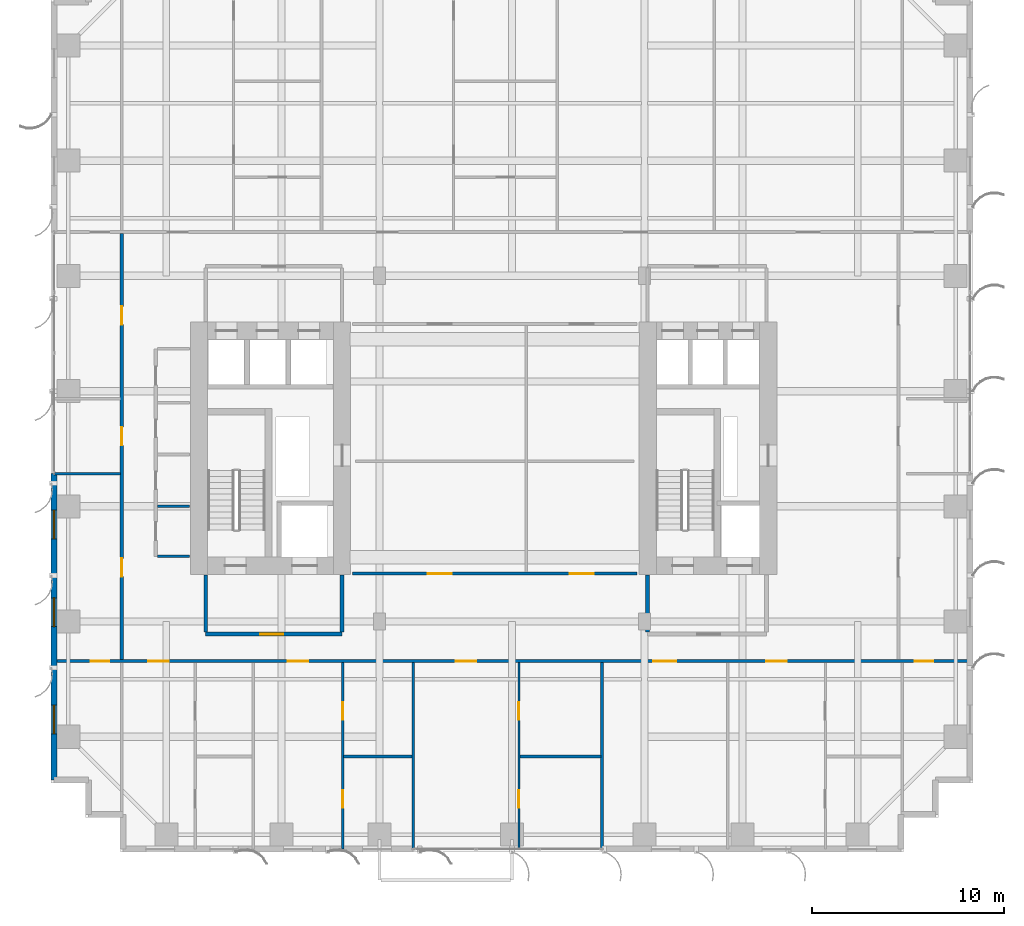
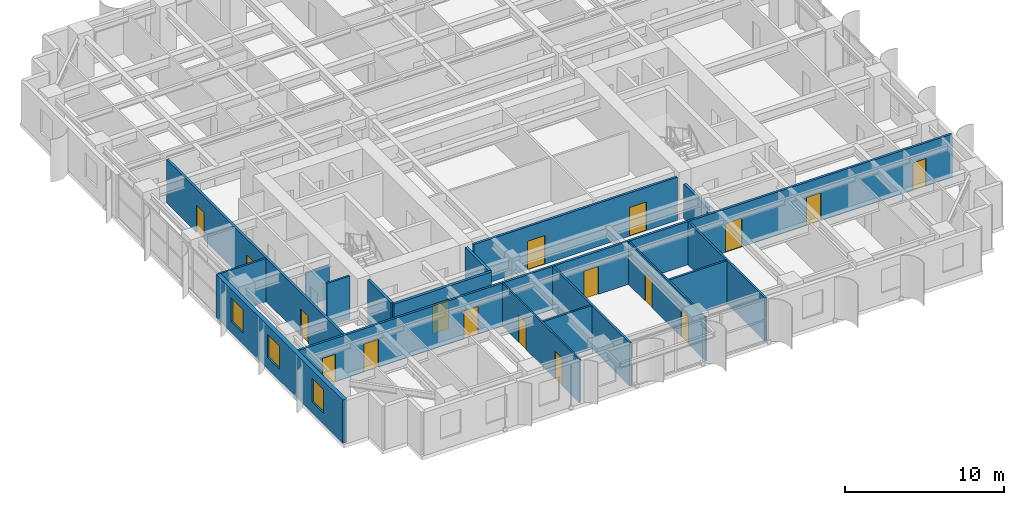
# One storey, part 15 of 22: 17 doors, 17 walls, 3 windows, 20 openings.
"""IFC4 building model written with IfcOpenShell, lengths in metres."""

from ifc_helpers import new_model, si_unit, direction, frame, frame_2d, origin, place, context, subcontext, project, spatial, rectangle, extrude, source, transform, mapped, material, layer, layer_set, type_object, element, fill, save


model = new_model("IFC4")

# Units and contexts
model_context = context("Model", 3, precision=1e-05, world=origin(), true_north=direction((0.0, 1.0)))
body_context = subcontext(model_context, "Body", "Model", "MODEL_VIEW")
ifc_project = project(units=[si_unit("LENGTHUNIT", "METRE"), si_unit("AREAUNIT", "SQUARE_METRE"), si_unit("VOLUMEUNIT", "CUBIC_METRE"), si_unit("PLANEANGLEUNIT", "RADIAN"), si_unit("MASSUNIT", "GRAM", prefix="KILO")], contexts=[model_context])

# Site, building, storey
site_placement = place(None, origin())
site = spatial("IfcSite", under=ifc_project, at=site_placement, CompositionType="ELEMENT")
building_placement = place(site_placement, origin())
building = spatial("IfcBuilding", under=site, at=building_placement, Name="Khoralis Quay Care Tower", CompositionType="ELEMENT")
storey_placement = place(building_placement, frame((0.0, 0.0, 44.10009765625)))
storey = spatial("IfcBuildingStorey", under=building, at=storey_placement, Name="L11", CompositionType="ELEMENT", Elevation=44.10009765625)

# Wall, opening, door
ifc_material_1 = material(Name="Gypsum plasterboard on acoustic metal stud")
ifc_layer_1 = layer(ifc_material_1, 0.199951171875)
ifc_layer_set_1 = layer_set([ifc_layer_1], Name="Gypsum plasterboard on acoustic metal stud")
wall_type_1 = type_object("IfcWallType", Name="WL-COMP-200", PredefinedType="PARTITIONING", material=ifc_layer_set_1)
wall_1_placement = place(storey_placement, frame((8.050048828125, 11.35009765625, 0.0), z_axis=(0.0, 0.0, 1.0), x_axis=(1.0, 0.0, 0.0)))
wall_1 = element("IfcWall", 1, at=wall_1_placement, inside=storey, type_object=wall_type_1, Name="L11 West Firefighting Lobby South Wall", PredefinedType="PARTITIONING", context=body_context, shape_type="SweptSolid", body=[
    extrude(rectangle(XDim=7.099853515625, YDim=0.199951171875, at=frame_2d((3.5498046875, 0.0))), origin(), (0.0, 0.0, 1.0), 3.31982421875),
])
opening_1_placement = place(wall_1_placement, frame((2.846435546875, 0.0, 0.0)))
opening_1 = element("IfcOpeningElement", 2, at=opening_1_placement, cuts=wall_1, Name="Opening FD1", PredefinedType="OPENING", context=body_context, shape_type="SweptSolid", body=[
    extrude(rectangle(XDim=1.199951171875, YDim=2.199951171875, at=frame_2d((0.60009765625, 1.10009765625))), frame((0.0, 0.10986328125, 0.0), z_axis=(0.0, -1.0, 0.0), x_axis=(1.0, 0.0, 0.0)), (0.0, 0.0, 1.0), 0.219970703125),
])
ifc_material_2 = material(Name="Fire-rated painted steel", Category="steel")
door_type_1 = type_object("IfcDoorType", Name="DR-FFL-1200X2200", OperationType="NOTDEFINED", PredefinedType="DOOR", material=ifc_material_2)
shared_shape_1 = source(origin(), body_context, "Body", "SweptSolid", [
    extrude(rectangle(XDim=1.199951171875, YDim=2.199951171875, at=frame_2d((0.60009765625, 1.10009765625))), frame((0.0, 0.02490234375, 0.0), z_axis=(0.0, -1.0, 0.0), x_axis=(1.0, 0.0, 0.0)), (0.0, 0.0, 1.0), 0.050048828125),
])
door_1_placement = place(opening_1_placement, origin())
door_1 = element("IfcDoor", 3, at=door_1_placement, inside=storey, type_object=door_type_1, Name="L11 West Firefighting Lobby Fire Door", OperationType="SINGLE_SWING_LEFT", OverallHeight=2.199951171875, OverallWidth=1.199951171875, PredefinedType="DOOR", context=body_context, shape_type="MappedRepresentation", body=[
    mapped(shared_shape_1, transform((0.0, 0.0, 0.0), scale=1.0)),
])
fill(opening_1, door_1)

# Walls
for number, where, z_axis, x_axis, name in (
    (4, (8.050048828125, 11.445068359375, 0.0), (0.0, 0.0, 1.0), (0.0, 1.0, 0.0), "L11 West Firefighting Lobby West Wall"),
    (5, (15.14990234375, 11.445068359375, 0.0), (0.0, 0.0, 1.0), (0.0, 1.0, 0.0), "L11 West Firefighting Lobby East Wall"),
):
    element("IfcWall", number, at=place(storey_placement, frame(where, z_axis=z_axis, x_axis=x_axis)), inside=storey, type_object=wall_type_1, Name=name, PredefinedType="PARTITIONING", context=body_context, shape_type="SweptSolid", body=[
        extrude(rectangle(XDim=2.98486328125, YDim=0.199951171875, at=frame_2d((1.492431640625, 0.0))), origin(), (0.0, 0.0, 1.0), 3.31982421875),
    ])
wall_2_placement = place(storey_placement, frame((31.050048828125, 11.445068359375, 0.0), z_axis=(0.0, 0.0, 1.0), x_axis=(0.0, 1.0, 0.0)))
element("IfcWall", 6, at=wall_2_placement, inside=storey, type_object=wall_type_1, Name="L11 East Firefighting Lobby West Wall", PredefinedType="PARTITIONING", context=body_context, shape_type="SweptSolid", body=[
    extrude(rectangle(XDim=2.98486328125, YDim=0.199951171875, at=frame_2d((1.492431640625, 0.0))), origin(), (0.0, 0.0, 1.0), 2.625),
])

# Wall, openings, doors
ifc_layer_2 = layer(ifc_material_1, 0.1650390625)
ifc_layer_set_2 = layer_set([ifc_layer_2], Name="Gypsum plasterboard on acoustic metal stud")
wall_type_2 = type_object("IfcWallType", Name="WL-CORR-165", PredefinedType="PARTITIONING", material=ifc_layer_set_2)
wall_3_placement = place(storey_placement, frame((0.14501953125, 9.93994140625, 0.0), z_axis=(0.0, 0.0, 1.0), x_axis=(1.0, 0.0, 0.0)))
wall_3 = element("IfcWall", 7, at=wall_3_placement, inside=storey, type_object=wall_type_2, Name="L11 South Main Corridor Wall", PredefinedType="PARTITIONING", context=body_context, shape_type="SweptSolid", body=[
    extrude(rectangle(XDim=47.7099609375, YDim=0.1650390625, at=frame_2d((23.85498046875, 0.0))), origin(), (0.0, 0.0, 1.0), 3.31982421875),
])
opening_2_placement = place(wall_3_placement, frame((4.925048828125, 0.0, 0.0)))
opening_2 = element("IfcOpeningElement", 8, at=opening_2_placement, cuts=wall_3, Name="Opening UD1", PredefinedType="OPENING", context=body_context, shape_type="SweptSolid", body=[
    extrude(rectangle(XDim=1.050048828125, YDim=2.14990234375, at=frame_2d((0.52490234375, 1.074951171875))), frame((0.0, 0.092529296875, 0.0), z_axis=(0.0, -1.0, 0.0), x_axis=(1.0, 0.0, 0.0)), (0.0, 0.0, 1.0), 0.18505859375),
])
opening_3_placement = place(wall_3_placement, frame((12.1826171875, 0.0, 0.0)))
opening_3 = element("IfcOpeningElement", 9, at=opening_3_placement, cuts=wall_3, Name="Opening UD1", PredefinedType="OPENING", context=body_context, shape_type="SweptSolid", body=[
    extrude(rectangle(XDim=1.050048828125, YDim=2.14990234375, at=frame_2d((0.52490234375, 1.074951171875))), frame((0.0, 0.092529296875, 0.0), z_axis=(0.0, -1.0, 0.0), x_axis=(1.0, 0.0, 0.0)), (0.0, 0.0, 1.0), 0.18505859375),
])
opening_4_placement = place(wall_3_placement, frame((20.93505859375, 0.0, 0.0)))
opening_4 = element("IfcOpeningElement", 10, at=opening_4_placement, cuts=wall_3, Name="Opening UD1", PredefinedType="OPENING", context=body_context, shape_type="SweptSolid", body=[
    extrude(rectangle(XDim=1.050048828125, YDim=2.14990234375, at=frame_2d((0.52490234375, 1.074951171875))), frame((0.0, 0.092529296875, 0.0), z_axis=(0.0, -1.0, 0.0), x_axis=(1.0, 0.0, 0.0)), (0.0, 0.0, 1.0), 0.18505859375),
])
opening_5_placement = place(wall_3_placement, frame((31.215087890625, 0.0, 0.0)))
opening_5 = element("IfcOpeningElement", 11, at=opening_5_placement, cuts=wall_3, Name="Opening FD1", PredefinedType="OPENING", context=body_context, shape_type="SweptSolid", body=[
    extrude(rectangle(XDim=1.199951171875, YDim=2.199951171875, at=frame_2d((0.60009765625, 1.10009765625))), frame((0.0, 0.092529296875, 0.0), z_axis=(0.0, -1.0, 0.0), x_axis=(1.0, 0.0, 0.0)), (0.0, 0.0, 1.0), 0.18505859375),
])
opening_6_placement = place(wall_3_placement, frame((37.10498046875, 0.0, 0.0)))
opening_6 = element("IfcOpeningElement", 12, at=opening_6_placement, cuts=wall_3, Name="Opening UD1", PredefinedType="OPENING", context=body_context, shape_type="SweptSolid", body=[
    extrude(rectangle(XDim=1.050048828125, YDim=2.14990234375, at=frame_2d((0.52490234375, 1.074951171875))), frame((0.0, 0.092529296875, 0.0), z_axis=(0.0, -1.0, 0.0), x_axis=(1.0, 0.0, 0.0)), (0.0, 0.0, 1.0), 0.18505859375),
])
opening_7_placement = place(wall_3_placement, frame((1.919921875, 0.0, 0.0)))
opening_7 = element("IfcOpeningElement", 13, at=opening_7_placement, cuts=wall_3, Name="Opening ID1", PredefinedType="OPENING", context=body_context, shape_type="SweptSolid", body=[
    extrude(rectangle(XDim=0.949951171875, YDim=2.10009765625, at=frame_2d((0.47509765625, 1.050048828125))), frame((0.0, 0.092529296875, 0.0), z_axis=(0.0, -1.0, 0.0), x_axis=(1.0, 0.0, 0.0)), (0.0, 0.0, 1.0), 0.18505859375),
])
opening_8_placement = place(wall_3_placement, frame((44.840087890625, 0.0, 0.0)))
opening_8 = element("IfcOpeningElement", 14, at=opening_8_placement, cuts=wall_3, Name="Opening ID1", PredefinedType="OPENING", context=body_context, shape_type="SweptSolid", body=[
    extrude(rectangle(XDim=0.949951171875, YDim=2.10009765625, at=frame_2d((0.47509765625, 1.050048828125))), frame((0.0, 0.092529296875, 0.0), z_axis=(0.0, -1.0, 0.0), x_axis=(1.0, 0.0, 0.0)), (0.0, 0.0, 1.0), 0.18505859375),
])
door_2_placement = place(opening_5_placement, frame((1.199951171875, 0.0, 0.0), z_axis=(0.0, 0.0, 1.0), x_axis=(-1.0, 0.0, 0.0)))
door_2 = element("IfcDoor", 15, at=door_2_placement, inside=storey, type_object=door_type_1, Name="L11 Assisted Communal Dining Room Door", OperationType="DOUBLE_DOOR_SINGLE_SWING", OverallHeight=2.199951171875, OverallWidth=1.199951171875, PredefinedType="DOOR", context=body_context, shape_type="MappedRepresentation", body=[
    mapped(shared_shape_1, transform((0.0, 0.0, 0.0), scale=1.0)),
])
fill(opening_5, door_2)
ifc_material_3 = material(Name="Acoustic hardwood timber", Category="wood")
door_type_2 = type_object("IfcDoorType", Name="DR-ROOM-950X2100", OperationType="NOTDEFINED", PredefinedType="DOOR", material=ifc_material_3)
shared_shape_2 = source(origin(), body_context, "Body", "SweptSolid", [
    extrude(rectangle(XDim=0.949951171875, YDim=2.10009765625, at=frame_2d((0.47509765625, 1.050048828125))), frame((0.0, 0.02490234375, 0.0), z_axis=(0.0, -1.0, 0.0), x_axis=(1.0, 0.0, 0.0)), (0.0, 0.0, 1.0), 0.050048828125),
])
door_3_placement = place(opening_7_placement, frame((0.949951171875, 0.0, 0.0), z_axis=(0.0, 0.0, 1.0), x_axis=(-1.0, 0.0, 0.0)))
door_3 = element("IfcDoor", 16, at=door_3_placement, inside=storey, type_object=door_type_2, Name="L11 SW Corner Door", OperationType="SINGLE_SWING_LEFT", OverallHeight=2.10009765625, OverallWidth=0.949951171875, PredefinedType="DOOR", context=body_context, shape_type="MappedRepresentation", body=[
    mapped(shared_shape_2, transform((0.0, 0.0, 0.0), scale=1.0)),
])
fill(opening_7, door_3)
door_4_placement = place(opening_8_placement, frame((0.949951171875, 0.0, 0.0), z_axis=(0.0, 0.0, 1.0), x_axis=(-1.0, 0.0, 0.0)))
door_4 = element("IfcDoor", 17, at=door_4_placement, inside=storey, type_object=door_type_2, Name="L11 SE Corner Door", OperationType="SINGLE_SWING_RIGHT", OverallHeight=2.10009765625, OverallWidth=0.949951171875, PredefinedType="DOOR", context=body_context, shape_type="MappedRepresentation", body=[
    mapped(shared_shape_2, transform((0.0, 0.0, 0.0), scale=1.0)),
])
fill(opening_8, door_4)
door_type_3 = type_object("IfcDoorType", Name="DR-SUITE-1050X2150", OperationType="NOTDEFINED", PredefinedType="DOOR", material=ifc_material_3)
shared_shape_3 = source(origin(), body_context, "Body", "SweptSolid", [
    extrude(rectangle(XDim=1.050048828125, YDim=2.14990234375, at=frame_2d((0.52490234375, 1.074951171875))), frame((0.0, 0.02490234375, 0.0), z_axis=(0.0, -1.0, 0.0), x_axis=(1.0, 0.0, 0.0)), (0.0, 0.0, 1.0), 0.050048828125),
])
door_5_placement = place(opening_2_placement, frame((1.050048828125, 0.0, 0.0), z_axis=(0.0, 0.0, 1.0), x_axis=(-1.0, 0.0, 0.0)))
door_5 = element("IfcDoor", 18, at=door_5_placement, inside=storey, type_object=door_type_3, Name="L11 Studio SB0 Entrance", OperationType="SINGLE_SWING_LEFT", OverallHeight=2.14990234375, OverallWidth=1.050048828125, PredefinedType="DOOR", context=body_context, shape_type="MappedRepresentation", body=[
    mapped(shared_shape_3, transform((0.0, 0.0, 0.0), scale=1.0)),
])
fill(opening_2, door_5)
door_6_placement = place(opening_3_placement, frame((1.050048828125, 0.0, 0.0), z_axis=(0.0, 0.0, 1.0), x_axis=(-1.0, 0.0, 0.0)))
door_6 = element("IfcDoor", 19, at=door_6_placement, inside=storey, type_object=door_type_3, Name="L11 Studio SB1 Entrance", OperationType="SINGLE_SWING_RIGHT", OverallHeight=2.14990234375, OverallWidth=1.050048828125, PredefinedType="DOOR", context=body_context, shape_type="MappedRepresentation", body=[
    mapped(shared_shape_3, transform((0.0, 0.0, 0.0), scale=1.0)),
])
fill(opening_3, door_6)
door_7_placement = place(opening_4_placement, frame((1.050048828125, 0.0, 0.0), z_axis=(0.0, 0.0, 1.0), x_axis=(-1.0, 0.0, 0.0)))
door_7 = element("IfcDoor", 20, at=door_7_placement, inside=storey, type_object=door_type_3, Name="L11 Studio SB2 Entrance", OperationType="SINGLE_SWING_LEFT", OverallHeight=2.14990234375, OverallWidth=1.050048828125, PredefinedType="DOOR", context=body_context, shape_type="MappedRepresentation", body=[
    mapped(shared_shape_3, transform((0.0, 0.0, 0.0), scale=1.0)),
])
fill(opening_4, door_7)
door_8_placement = place(opening_6_placement, frame((1.050048828125, 0.0, 0.0), z_axis=(0.0, 0.0, 1.0), x_axis=(-1.0, 0.0, 0.0)))
door_8 = element("IfcDoor", 21, at=door_8_placement, inside=storey, type_object=door_type_3, Name="L11 Studio SB4 Entrance", OperationType="SINGLE_SWING_LEFT", OverallHeight=2.14990234375, OverallWidth=1.050048828125, PredefinedType="DOOR", context=body_context, shape_type="MappedRepresentation", body=[
    mapped(shared_shape_3, transform((0.0, 0.0, 0.0), scale=1.0)),
])
fill(opening_6, door_8)

wall_4_placement = place(storey_placement, frame((3.679931640625, 10.017578125, 0.0), z_axis=(0.0, 0.0, 1.0), x_axis=(0.0, 1.0, 0.0)))
wall_4 = element("IfcWall", 22, at=wall_4_placement, inside=storey, type_object=wall_type_2, Name="L11 West Loop Corridor Wall", PredefinedType="PARTITIONING", context=body_context, shape_type="SweptSolid", body=[
    extrude(rectangle(XDim=22.184814453125, YDim=0.1650390625, at=frame_2d((11.09228515625, 0.0))), origin(), (0.0, 0.0, 1.0), 3.31982421875),
])
opening_9_placement = place(wall_4_placement, frame((4.327392578125, 0.0, 0.0)))
opening_9 = element("IfcOpeningElement", 23, at=opening_9_placement, cuts=wall_4, Name="Opening ID1", PredefinedType="OPENING", context=body_context, shape_type="SweptSolid", body=[
    extrude(rectangle(XDim=0.949951171875, YDim=2.10009765625, at=frame_2d((0.47509765625, 1.050048828125))), frame((0.0, 0.092529296875, 0.0), z_axis=(0.0, -1.0, 0.0), x_axis=(1.0, 0.0, 0.0)), (0.0, 0.0, 1.0), 0.18505859375),
])
opening_10_placement = place(wall_4_placement, frame((11.157470703125, 0.0, 0.0)))
opening_10 = element("IfcOpeningElement", 24, at=opening_10_placement, cuts=wall_4, Name="Opening ID1", PredefinedType="OPENING", context=body_context, shape_type="SweptSolid", body=[
    extrude(rectangle(XDim=0.949951171875, YDim=2.10009765625, at=frame_2d((0.47509765625, 1.050048828125))), frame((0.0, 0.092529296875, 0.0), z_axis=(0.0, -1.0, 0.0), x_axis=(1.0, 0.0, 0.0)), (0.0, 0.0, 1.0), 0.18505859375),
])
opening_11_placement = place(wall_4_placement, frame((17.447509765625, 0.0, 0.0)))
opening_11 = element("IfcOpeningElement", 25, at=opening_11_placement, cuts=wall_4, Name="Opening ID1", PredefinedType="OPENING", context=body_context, shape_type="SweptSolid", body=[
    extrude(rectangle(XDim=0.949951171875, YDim=2.10009765625, at=frame_2d((0.47509765625, 1.050048828125))), frame((0.0, 0.092529296875, 0.0), z_axis=(0.0, -1.0, 0.0), x_axis=(1.0, 0.0, 0.0)), (0.0, 0.0, 1.0), 0.18505859375),
])
door_9_placement = place(opening_9_placement, origin())
door_9 = element("IfcDoor", 26, at=door_9_placement, inside=storey, type_object=door_type_2, Name="L11 Therapy Consultation Room Door", OperationType="SINGLE_SWING_LEFT", OverallHeight=2.10009765625, OverallWidth=0.949951171875, PredefinedType="DOOR", context=body_context, shape_type="MappedRepresentation", body=[
    mapped(shared_shape_2, transform((0.0, 0.0, 0.0), scale=1.0)),
])
fill(opening_9, door_9)
door_10_placement = place(opening_10_placement, origin())
door_10 = element("IfcDoor", 27, at=door_10_placement, inside=storey, type_object=door_type_2, Name="L11 Assisted Activity Lounge Door", OperationType="SINGLE_SWING_RIGHT", OverallHeight=2.10009765625, OverallWidth=0.949951171875, PredefinedType="DOOR", context=body_context, shape_type="MappedRepresentation", body=[
    mapped(shared_shape_2, transform((0.0, 0.0, 0.0), scale=1.0)),
])
fill(opening_10, door_10)
door_11_placement = place(opening_11_placement, origin())
door_11 = element("IfcDoor", 28, at=door_11_placement, inside=storey, type_object=door_type_2, Name="L11 Nurse Charting Office Door", OperationType="SINGLE_SWING_LEFT", OverallHeight=2.10009765625, OverallWidth=0.949951171875, PredefinedType="DOOR", context=body_context, shape_type="MappedRepresentation", body=[
    mapped(shared_shape_2, transform((0.0, 0.0, 0.0), scale=1.0)),
])
fill(opening_11, door_11)

wall_5_placement = place(storey_placement, frame((15.699951171875, 14.5, 0.0), z_axis=(0.0, 0.0, 1.0), x_axis=(1.0, 0.0, 0.0)))
wall_5 = element("IfcWall", 29, at=wall_5_placement, inside=storey, type_object=wall_type_2, Name="L11 Central Clinical South Wall", PredefinedType="PARTITIONING", context=body_context, shape_type="SweptSolid", body=[
    extrude(rectangle(XDim=14.800048828125, YDim=0.1650390625, at=frame_2d((7.39990234375, 0.0))), origin(), (0.0, 0.0, 1.0), 3.31982421875),
])
opening_12_placement = place(wall_5_placement, frame((3.89990234375, 0.0, 0.0)))
opening_12 = element("IfcOpeningElement", 30, at=opening_12_placement, cuts=wall_5, Name="Opening CD1", PredefinedType="OPENING", context=body_context, shape_type="SweptSolid", body=[
    extrude(rectangle(XDim=1.25, YDim=2.199951171875, at=frame_2d((0.625, 1.10009765625))), frame((0.0, 0.092529296875, 0.0), z_axis=(0.0, -1.0, 0.0), x_axis=(1.0, 0.0, 0.0)), (0.0, 0.0, 1.0), 0.18505859375),
])
opening_13_placement = place(wall_5_placement, frame((11.300048828125, 0.0, 0.0)))
opening_13 = element("IfcOpeningElement", 31, at=opening_13_placement, cuts=wall_5, Name="Opening CD1", PredefinedType="OPENING", context=body_context, shape_type="SweptSolid", body=[
    extrude(rectangle(XDim=1.25, YDim=2.199951171875, at=frame_2d((0.625, 1.10009765625))), frame((0.0, 0.092529296875, 0.0), z_axis=(0.0, -1.0, 0.0), x_axis=(1.0, 0.0, 0.0)), (0.0, 0.0, 1.0), 0.18505859375),
])
door_type_4 = type_object("IfcDoorType", Name="DR-CARE-1250X2200", OperationType="NOTDEFINED", PredefinedType="DOOR", material=ifc_material_3)
shared_shape_4 = source(origin(), body_context, "Body", "SweptSolid", [
    extrude(rectangle(XDim=1.25, YDim=2.199951171875, at=frame_2d((0.625, 1.10009765625))), frame((0.0, 0.02490234375, 0.0), z_axis=(0.0, -1.0, 0.0), x_axis=(1.0, 0.0, 0.0)), (0.0, 0.0, 1.0), 0.050048828125),
])
door_12_placement = place(opening_12_placement, origin())
door_12 = element("IfcDoor", 32, at=door_12_placement, inside=storey, type_object=door_type_4, Name="L11 Nurse Station Door", OperationType="SINGLE_SWING_LEFT", OverallHeight=2.199951171875, OverallWidth=1.25, PredefinedType="DOOR", context=body_context, shape_type="MappedRepresentation", body=[
    mapped(shared_shape_4, transform((0.0, 0.0, 0.0), scale=1.0)),
])
fill(opening_12, door_12)
door_13_placement = place(opening_13_placement, origin())
door_13 = element("IfcDoor", 33, at=door_13_placement, inside=storey, type_object=door_type_4, Name="L11 Treatment Clinic Door", OperationType="SINGLE_SWING_RIGHT", OverallHeight=2.199951171875, OverallWidth=1.25, PredefinedType="DOOR", context=body_context, shape_type="MappedRepresentation", body=[
    mapped(shared_shape_4, transform((0.0, 0.0, 0.0), scale=1.0)),
])
fill(opening_13, door_13)

# Wall, openings, windows
ifc_material_4 = material(Name="Precast concrete C45/55", Category="concrete")
ifc_layer_3 = layer(ifc_material_4, 0.300048828125)
ifc_layer_set_3 = layer_set([ifc_layer_3], Name="Precast concrete C45/55")
wall_type_3 = type_object("IfcWallType", Name="WL-EXT-REF-300", PredefinedType="SOLIDWALL", material=ifc_layer_set_3)
wall_6_placement = place(storey_placement, frame((0.14990234375, 19.699951171875, 0.0), z_axis=(0.0, 0.0, 1.0), x_axis=(0.0, -1.0, 0.0)))
wall_6 = element("IfcWall", 34, at=wall_6_placement, inside=storey, type_object=wall_type_3, Name="L11 External Facade Wall WL-EXT-L11-P1-E15B", PredefinedType="SOLIDWALL", context=body_context, shape_type="SweptSolid", body=[
    extrude(rectangle(XDim=15.949951171875, YDim=0.300048828125, at=frame_2d((7.97509765625, 0.0))), origin(), (0.0, 0.0, 1.0), 3.31982421875),
])
opening_14_placement = place(wall_6_placement, frame((1.89501953125, 0.0, 0.85009765625)))
opening_14 = element("IfcOpeningElement", 35, at=opening_14_placement, cuts=wall_6, Name="Opening W3", PredefinedType="OPENING", context=body_context, shape_type="SweptSolid", body=[
    extrude(rectangle(XDim=1.5, YDim=1.800048828125, at=frame_2d((0.75, 0.89990234375))), frame((0.0, 0.16015625, 0.0), z_axis=(0.0, -1.0, 0.0), x_axis=(1.0, 0.0, 0.0)), (0.0, 0.0, 1.0), 0.320068359375),
])
opening_15_placement = place(wall_6_placement, frame((6.465087890625, 0.0, 0.85009765625)))
opening_15 = element("IfcOpeningElement", 36, at=opening_15_placement, cuts=wall_6, Name="Opening W3", PredefinedType="OPENING", context=body_context, shape_type="SweptSolid", body=[
    extrude(rectangle(XDim=1.5, YDim=1.800048828125, at=frame_2d((0.75, 0.89990234375))), frame((0.0, 0.16015625, 0.0), z_axis=(0.0, -1.0, 0.0), x_axis=(1.0, 0.0, 0.0)), (0.0, 0.0, 1.0), 0.320068359375),
])
opening_16_placement = place(wall_6_placement, frame((12.054931640625, 0.0, 0.85009765625)))
opening_16 = element("IfcOpeningElement", 37, at=opening_16_placement, cuts=wall_6, Name="Opening W3", PredefinedType="OPENING", context=body_context, shape_type="SweptSolid", body=[
    extrude(rectangle(XDim=1.5, YDim=1.800048828125, at=frame_2d((0.75, 0.89990234375))), frame((0.0, 0.16015625, 0.0), z_axis=(0.0, -1.0, 0.0), x_axis=(1.0, 0.0, 0.0)), (0.0, 0.0, 1.0), 0.320068359375),
])
ifc_material_5 = material(Name="Low-E solar-control double glazing", Category="glass")
window_type = type_object("IfcWindowType", Name="WN-CLIN-1500X1800", PartitioningType="SINGLE_PANEL", PredefinedType="WINDOW", material=ifc_material_5)
shared_shape_5 = source(origin(), body_context, "Body", "SweptSolid", [
    extrude(rectangle(XDim=1.5, YDim=1.800048828125, at=frame_2d((0.75, 0.89990234375))), frame((0.0, 0.030029296875, 0.0), z_axis=(0.0, -1.0, 0.0), x_axis=(1.0, 0.0, 0.0)), (0.0, 0.0, 1.0), 0.06005859375),
])
window_1_placement = place(opening_14_placement, origin())
window_1 = element("IfcWindow", 38, at=window_1_placement, inside=storey, type_object=window_type, Name="WN-L11-P1-E15B Facade Window 01", OverallHeight=1.800048828125, OverallWidth=1.5, PartitioningType="SINGLE_PANEL", PredefinedType="WINDOW", context=body_context, shape_type="MappedRepresentation", body=[
    mapped(shared_shape_5, transform((0.0, 0.0, 0.0), scale=1.0)),
])
fill(opening_14, window_1)
window_2_placement = place(opening_15_placement, origin())
window_2 = element("IfcWindow", 39, at=window_2_placement, inside=storey, type_object=window_type, Name="WN-L11-P1-E15B Facade Window 02", OverallHeight=1.800048828125, OverallWidth=1.5, PartitioningType="SINGLE_PANEL", PredefinedType="WINDOW", context=body_context, shape_type="MappedRepresentation", body=[
    mapped(shared_shape_5, transform((0.0, 0.0, 0.0), scale=1.0)),
])
fill(opening_15, window_2)
window_3_placement = place(opening_16_placement, origin())
window_3 = element("IfcWindow", 40, at=window_3_placement, inside=storey, type_object=window_type, Name="WN-L11-P1-E15B Facade Window 03", OverallHeight=1.800048828125, OverallWidth=1.5, PartitioningType="SINGLE_PANEL", PredefinedType="WINDOW", context=body_context, shape_type="MappedRepresentation", body=[
    mapped(shared_shape_5, transform((0.0, 0.0, 0.0), scale=1.0)),
])
fill(opening_16, window_3)

# Wall, openings, doors
ifc_layer_4 = layer(ifc_material_1, 0.114990234375)
ifc_layer_set_4 = layer_set([ifc_layer_4], Name="Gypsum plasterboard on acoustic metal stud")
wall_type_4 = type_object("IfcWallType", Name="WL-PART-115", PredefinedType="PARTITIONING", material=ifc_layer_set_4)
wall_7_placement = place(storey_placement, frame((15.18505859375, 0.14501953125, 0.0), z_axis=(0.0, 0.0, 1.0), x_axis=(0.0, 1.0, 0.0)))
wall_7 = element("IfcWall", 41, at=wall_7_placement, inside=storey, type_object=wall_type_4, Name="L11 Studio 1 Internal Wall", PredefinedType="PARTITIONING", context=body_context, shape_type="SweptSolid", body=[
    extrude(rectangle(XDim=9.717529296875, YDim=0.114990234375, at=frame_2d((4.85888671875, 0.0))), origin(), (0.0, 0.0, 1.0), 3.31982421875),
])
opening_17_placement = place(wall_7_placement, frame((2.1650390625, 0.0, 0.0)))
opening_17 = element("IfcOpeningElement", 42, at=opening_17_placement, cuts=wall_7, Name="Opening WD1", PredefinedType="OPENING", context=body_context, shape_type="SweptSolid", body=[
    extrude(rectangle(XDim=0.89990234375, YDim=2.10009765625, at=frame_2d((0.449951171875, 1.050048828125))), frame((0.0, 0.0673828125, 0.0), z_axis=(0.0, -1.0, 0.0), x_axis=(1.0, 0.0, 0.0)), (0.0, 0.0, 1.0), 0.135009765625),
])
opening_18_placement = place(wall_7_placement, frame((6.7451171875, 0.0, 0.0)))
opening_18 = element("IfcOpeningElement", 43, at=opening_18_placement, cuts=wall_7, Name="Opening WD1", PredefinedType="OPENING", context=body_context, shape_type="SweptSolid", body=[
    extrude(rectangle(XDim=0.89990234375, YDim=2.10009765625, at=frame_2d((0.449951171875, 1.050048828125))), frame((0.0, 0.0673828125, 0.0), z_axis=(0.0, -1.0, 0.0), x_axis=(1.0, 0.0, 0.0)), (0.0, 0.0, 1.0), 0.135009765625),
])
door_type_5 = type_object("IfcDoorType", Name="DR-BATH-900X2100", OperationType="NOTDEFINED", PredefinedType="DOOR", material=ifc_material_3)
shared_shape_6 = source(origin(), body_context, "Body", "SweptSolid", [
    extrude(rectangle(XDim=0.89990234375, YDim=2.10009765625, at=frame_2d((0.449951171875, 1.050048828125))), frame((0.0, 0.02490234375, 0.0), z_axis=(0.0, -1.0, 0.0), x_axis=(1.0, 0.0, 0.0)), (0.0, 0.0, 1.0), 0.050048828125),
])
door_14_placement = place(opening_17_placement, frame((0.89990234375, 0.0, 0.0), z_axis=(0.0, 0.0, 1.0), x_axis=(-1.0, 0.0, 0.0)))
door_14 = element("IfcDoor", 44, at=door_14_placement, inside=storey, type_object=door_type_5, Name="L11 Studio SKT Door", OperationType="SINGLE_SWING_LEFT", OverallHeight=2.10009765625, OverallWidth=0.89990234375, PredefinedType="DOOR", context=body_context, shape_type="MappedRepresentation", body=[
    mapped(shared_shape_6, transform((0.0, 0.0, 0.0), scale=1.0)),
])
fill(opening_17, door_14)
door_15_placement = place(opening_18_placement, frame((0.89990234375, 0.0, 0.0), z_axis=(0.0, 0.0, 1.0), x_axis=(-1.0, 0.0, 0.0)))
door_15 = element("IfcDoor", 45, at=door_15_placement, inside=storey, type_object=door_type_5, Name="L11 Studio SBH Door", OperationType="SINGLE_SWING_RIGHT", OverallHeight=2.10009765625, OverallWidth=0.89990234375, PredefinedType="DOOR", context=body_context, shape_type="MappedRepresentation", body=[
    mapped(shared_shape_6, transform((0.0, 0.0, 0.0), scale=1.0)),
])
fill(opening_18, door_15)

wall_8_placement = place(storey_placement, frame((24.360107421875, 0.14501953125, 0.0), z_axis=(0.0, 0.0, 1.0), x_axis=(0.0, 1.0, 0.0)))
wall_8 = element("IfcWall", 46, at=wall_8_placement, inside=storey, type_object=wall_type_4, Name="L11 Studio 2 Internal Wall", PredefinedType="PARTITIONING", context=body_context, shape_type="SweptSolid", body=[
    extrude(rectangle(XDim=9.717529296875, YDim=0.114990234375, at=frame_2d((4.85888671875, 0.0))), origin(), (0.0, 0.0, 1.0), 3.31982421875),
])
opening_19_placement = place(wall_8_placement, frame((2.1650390625, 0.0, 0.0)))
opening_19 = element("IfcOpeningElement", 47, at=opening_19_placement, cuts=wall_8, Name="Opening WD1", PredefinedType="OPENING", context=body_context, shape_type="SweptSolid", body=[
    extrude(rectangle(XDim=0.89990234375, YDim=2.10009765625, at=frame_2d((0.449951171875, 1.050048828125))), frame((0.0, 0.0673828125, 0.0), z_axis=(0.0, -1.0, 0.0), x_axis=(1.0, 0.0, 0.0)), (0.0, 0.0, 1.0), 0.135009765625),
])
opening_20_placement = place(wall_8_placement, frame((6.7451171875, 0.0, 0.0)))
opening_20 = element("IfcOpeningElement", 48, at=opening_20_placement, cuts=wall_8, Name="Opening WD1", PredefinedType="OPENING", context=body_context, shape_type="SweptSolid", body=[
    extrude(rectangle(XDim=0.89990234375, YDim=2.10009765625, at=frame_2d((0.449951171875, 1.050048828125))), frame((0.0, 0.0673828125, 0.0), z_axis=(0.0, -1.0, 0.0), x_axis=(1.0, 0.0, 0.0)), (0.0, 0.0, 1.0), 0.135009765625),
])
door_16_placement = place(opening_19_placement, frame((0.89990234375, 0.0, 0.0), z_axis=(0.0, 0.0, 1.0), x_axis=(-1.0, 0.0, 0.0)))
door_16 = element("IfcDoor", 49, at=door_16_placement, inside=storey, type_object=door_type_5, Name="L11 Studio SKT Door", OperationType="SINGLE_SWING_RIGHT", OverallHeight=2.10009765625, OverallWidth=0.89990234375, PredefinedType="DOOR", context=body_context, shape_type="MappedRepresentation", body=[
    mapped(shared_shape_6, transform((0.0, 0.0, 0.0), scale=1.0)),
])
fill(opening_19, door_16)
door_17_placement = place(opening_20_placement, frame((0.89990234375, 0.0, 0.0), z_axis=(0.0, 0.0, 1.0), x_axis=(-1.0, 0.0, 0.0)))
door_17 = element("IfcDoor", 50, at=door_17_placement, inside=storey, type_object=door_type_5, Name="L11 Studio SBH Door", OperationType="SINGLE_SWING_LEFT", OverallHeight=2.10009765625, OverallWidth=0.89990234375, PredefinedType="DOOR", context=body_context, shape_type="MappedRepresentation", body=[
    mapped(shared_shape_6, transform((0.0, 0.0, 0.0), scale=1.0)),
])
fill(opening_20, door_17)

# Walls
ifc_material_6 = material(Name="Moisture-resistant gypsum and ceramic tile")
ifc_layer_5 = layer(ifc_material_6, 0.280029296875)
ifc_layer_set_5 = layer_set([ifc_layer_5], Name="Moisture-resistant gypsum and ceramic tile")
wall_type_5 = type_object("IfcWallType", Name="WL-PLUMB-280", PredefinedType="PLUMBINGWALL", material=ifc_layer_set_5)
wall_9_placement = place(storey_placement, frame((5.527587890625, 18.0, 0.0), z_axis=(0.0, 0.0, 1.0), x_axis=(1.0, 0.0, 0.0)))
element("IfcWall", 51, at=wall_9_placement, inside=storey, type_object=wall_type_5, Name="L11 West Flank Divider 1", PredefinedType="PLUMBINGWALL", context=body_context, shape_type="SweptSolid", body=[
    extrude(rectangle(XDim=1.682373046875, YDim=0.139892578125, at=frame_2d((0.84130859375, 0.0))), origin(), (0.0, 0.0, 1.0), 2.546875),
])
wall_10_placement = place(storey_placement, frame((15.237548828125, 4.969970703125, 0.0), z_axis=(0.0, 0.0, 1.0), x_axis=(1.0, 0.0, 0.0)))
element("IfcWall", 52, at=wall_10_placement, inside=storey, type_object=wall_type_5, Name="L11 Studio 1 Wet Split", PredefinedType="PLUMBINGWALL", context=body_context, shape_type="SweptSolid", body=[
    extrude(rectangle(XDim=3.54736328125, YDim=0.139892578125, at=frame_2d((1.773681640625, 0.0))), origin(), (0.0, 0.0, 1.0), 3.31982421875),
])
wall_11_placement = place(storey_placement, frame((24.41259765625, 4.969970703125, 0.0), z_axis=(0.0, 0.0, 1.0), x_axis=(1.0, 0.0, 0.0)))
element("IfcWall", 53, at=wall_11_placement, inside=storey, type_object=wall_type_5, Name="L11 Studio 2 Wet Split", PredefinedType="PLUMBINGWALL", context=body_context, shape_type="SweptSolid", body=[
    extrude(rectangle(XDim=4.21240234375, YDim=0.139892578125, at=frame_2d((2.106201171875, 0.0))), origin(), (0.0, 0.0, 1.0), 3.31982421875),
])
ifc_layer_6 = layer(ifc_material_1, 0.139892578125)
ifc_layer_set_6 = layer_set([ifc_layer_6], Name="Gypsum plasterboard on acoustic metal stud")
wall_type_6 = type_object("IfcWallType", Name="WL-UNIT-140", PredefinedType="PARTITIONING", material=ifc_layer_set_6)
wall_12_placement = place(storey_placement, frame((5.527587890625, 15.39990234375, 0.0), z_axis=(0.0, 0.0, 1.0), x_axis=(1.0, 0.0, 0.0)))
element("IfcWall", 54, at=wall_12_placement, inside=storey, type_object=wall_type_6, Name="L11 West Flank South Cap", PredefinedType="PARTITIONING", context=body_context, shape_type="SweptSolid", body=[
    extrude(rectangle(XDim=1.682373046875, YDim=0.139892578125, at=frame_2d((0.84130859375, 0.0))), origin(), (0.0, 0.0, 1.0), 3.31982421875),
])
wall_13_placement = place(storey_placement, frame((0.14501953125, 19.699951171875, 0.0), z_axis=(0.0, 0.0, 1.0), x_axis=(1.0, 0.0, 0.0)))
element("IfcWall", 55, at=wall_13_placement, inside=storey, type_object=wall_type_6, Name="L11 WW Divider 1", PredefinedType="PARTITIONING", context=body_context, shape_type="SweptSolid", body=[
    extrude(rectangle(XDim=3.45751953125, YDim=0.139892578125, at=frame_2d((1.728759765625, 0.0))), origin(), (0.0, 0.0, 1.0), 3.31982421875),
])
for number, where, z_axis, x_axis, name in (
    (56, (18.85009765625, 0.14501953125, 0.0), (0.0, 0.0, 1.0), (0.0, 1.0, 0.0), "L11 SB Demising Wall 2"),
    (57, (28.68994140625, 0.14501953125, 0.0), (0.0, 0.0, 1.0), (0.0, 1.0, 0.0), "L11 SB Demising Wall 3"),
):
    element("IfcWall", number, at=place(storey_placement, frame(where, z_axis=z_axis, x_axis=x_axis)), inside=storey, type_object=wall_type_6, Name=name, PredefinedType="PARTITIONING", context=body_context, shape_type="SweptSolid", body=[
        extrude(rectangle(XDim=9.717529296875, YDim=0.139892578125, at=frame_2d((4.85888671875, 0.0))), origin(), (0.0, 0.0, 1.0), 3.31982421875),
    ])

save(model, "model.ifc")
